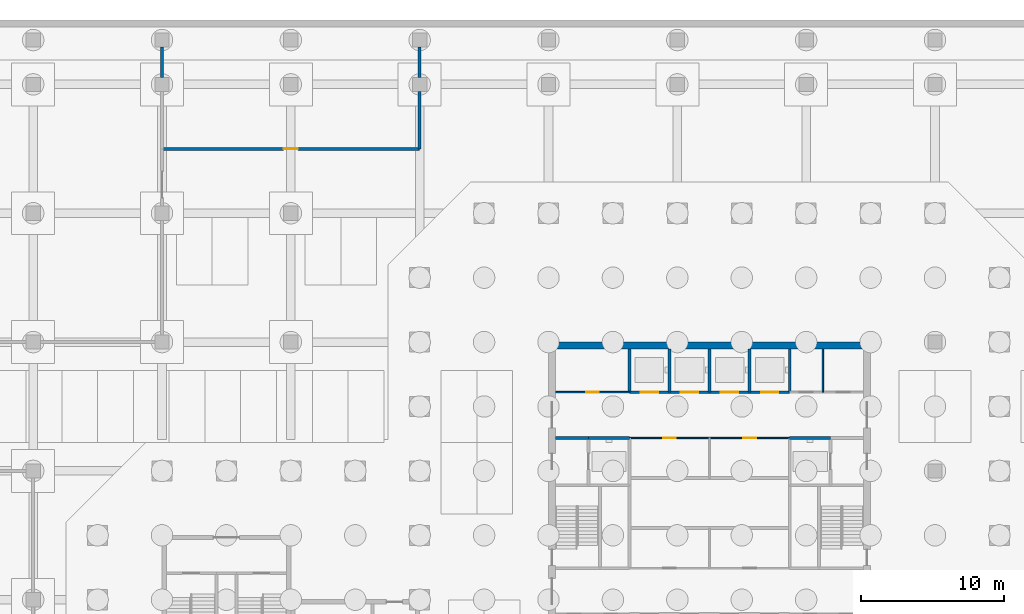
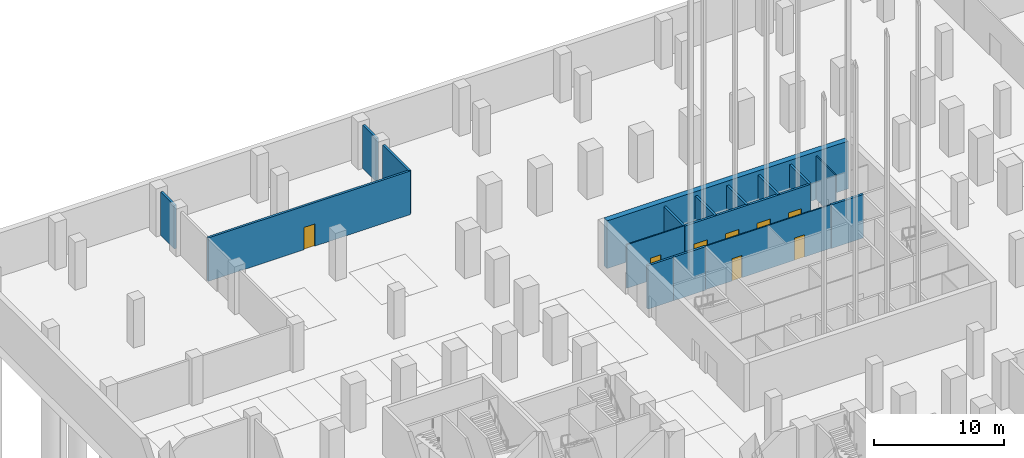
# One storey, part 18 of 37: 17 walls, 8 doors, 8 openings.
"""IFC4 building model written with IfcOpenShell, lengths in metres."""

from ifc_helpers import new_model, si_unit, direction, frame, frame_2d, origin, place, context, subcontext, project, spatial, rectangle, extrude, material, layer, layer_set, type_object, element, fill, save


model = new_model("IFC4")

# Units and contexts
model_context = context("Model", 3, precision=1e-05, world=origin(), true_north=direction((0.0, 1.0)))
body_context = subcontext(model_context, "Body", "Model", "MODEL_VIEW")
ifc_project = project(units=[si_unit("LENGTHUNIT", "METRE"), si_unit("AREAUNIT", "SQUARE_METRE"), si_unit("VOLUMEUNIT", "CUBIC_METRE"), si_unit("PLANEANGLEUNIT", "RADIAN"), si_unit("MASSUNIT", "GRAM", prefix="KILO")], contexts=[model_context])

# Site, building, storey
site_placement = place(None, origin())
site = spatial("IfcSite", under=ifc_project, at=site_placement, CompositionType="ELEMENT")
building_placement = place(site_placement, origin())
building = spatial("IfcBuilding", under=site, at=building_placement, Name="Quoin Convention Tower", CompositionType="ELEMENT")
storey_placement = place(building_placement, frame((0.0, 0.0, -9.0)))
storey = spatial("IfcBuildingStorey", under=building, at=storey_placement, Name="B2", CompositionType="ELEMENT", Elevation=-9.0)

# Wall, openings, doors
ifc_material_1 = material(Name="Plasterboard")
ifc_layer_1 = layer(ifc_material_1, 0.012451171875, Name="Finish")
ifc_material_2 = material(Name="Steel stud framing", Category="steel")
ifc_layer_2 = layer(ifc_material_2, 0.074951171875, Name="Structure")
ifc_layer_3 = layer(ifc_material_1, 0.012451171875, Name="Finish")
ifc_layer_set_1 = layer_set([ifc_layer_1, ifc_layer_2, ifc_layer_3], Name="Steel stud framing")
wall_type_1 = type_object("IfcWallType", Name="Core partition wall", PredefinedType="PARTITIONING", material=ifc_layer_set_1)
wall_1_placement = place(storey_placement, frame((50.64990234375, 65.300048828125, 0.0), z_axis=(0.0, 0.0, 1.0), x_axis=(1.0, 0.0, 0.0)))
wall_1 = element("IfcWall", 1, at=wall_1_placement, inside=storey, type_object=wall_type_1, Name="cr-C1-B2-h15800_5650", PredefinedType="PARTITIONING", context=body_context, shape_type="SweptSolid", body=[
    extrude(rectangle(XDim=11.2001953125, YDim=0.10009765625, at=frame_2d((5.60009765625, 0.0))), origin(), (0.0, 0.0, 1.0), 4.10009765625),
])
opening_1_placement = place(wall_1_placement, frame((2.35009765625, 0.0, 0.0)))
opening_1 = element("IfcOpeningElement", 2, at=opening_1_placement, cuts=wall_1, Name="Opening DCV0-01", PredefinedType="OPENING", context=body_context, shape_type="SweptSolid", body=[
    extrude(rectangle(XDim=0.89990234375, YDim=2.10009765625, at=frame_2d((0.449951171875, 1.050048828125))), frame((0.0, 0.06005859375, 0.0), z_axis=(0.0, -1.0, 0.0), x_axis=(1.0, 0.0, 0.0)), (0.0, 0.0, 1.0), 0.1201171875),
])
opening_2_placement = place(wall_1_placement, frame((7.949951171875, 0.0, 0.0)))
opening_2 = element("IfcOpeningElement", 3, at=opening_2_placement, cuts=wall_1, Name="Opening DCV0-03", PredefinedType="OPENING", context=body_context, shape_type="SweptSolid", body=[
    extrude(rectangle(XDim=0.89990234375, YDim=2.10009765625, at=frame_2d((0.449951171875, 1.050048828125))), frame((0.0, 0.06005859375, 0.0), z_axis=(0.0, -1.0, 0.0), x_axis=(1.0, 0.0, 0.0)), (0.0, 0.0, 1.0), 0.1201171875),
])
ifc_material_3 = material(Name="Steel door leaf", Category="steel")
door_type_1 = type_object("IfcDoorType", Name="Core room door 900 x 2100", OperationType="SINGLE_SWING_LEFT", PredefinedType="DOOR", material=ifc_material_3)
door_1_placement = place(opening_1_placement, frame((0.89990234375, 0.0, 0.0), z_axis=(0.0, 0.0, 1.0), x_axis=(-1.0, 0.0, 0.0)))
door_1 = element("IfcDoor", 4, at=door_1_placement, inside=storey, type_object=door_type_1, Name="cd-C1-B2-F30-lobB-CDB216", OperationType="SINGLE_SWING_RIGHT", OverallHeight=2.10009765625, OverallWidth=0.89990234375, PredefinedType="DOOR", context=body_context, shape_type="SweptSolid", body=[
    extrude(rectangle(XDim=0.89990234375, YDim=2.10009765625, at=frame_2d((0.449951171875, 1.050048828125))), frame((0.0, 0.02490234375, 0.0), z_axis=(0.0, -1.0, 0.0), x_axis=(1.0, 0.0, 0.0)), (0.0, 0.0, 1.0), 0.050048828125),
])
fill(opening_1, door_1)
door_2_placement = place(opening_2_placement, frame((0.89990234375, 0.0, 0.0), z_axis=(0.0, 0.0, 1.0), x_axis=(-1.0, 0.0, 0.0)))
door_2 = element("IfcDoor", 5, at=door_2_placement, inside=storey, type_object=door_type_1, Name="cd-C1-B2-F31-lobB-CDB217", OperationType="SINGLE_SWING_LEFT", OverallHeight=2.10009765625, OverallWidth=0.89990234375, PredefinedType="DOOR", context=body_context, shape_type="SweptSolid", body=[
    extrude(rectangle(XDim=0.89990234375, YDim=2.10009765625, at=frame_2d((0.449951171875, 1.050048828125))), frame((0.0, 0.02490234375, 0.0), z_axis=(0.0, -1.0, 0.0), x_axis=(1.0, 0.0, 0.0)), (0.0, 0.0, 1.0), 0.050048828125),
])
fill(opening_2, door_2)

# Wall, opening, door
wall_2_placement = place(storey_placement, frame((45.5, 68.5, 0.0), z_axis=(0.0, 0.0, 1.0), x_axis=(1.0, 0.0, 0.0)))
wall_2 = element("IfcWall", 6, at=wall_2_placement, inside=storey, type_object=wall_type_1, Name="cr-C1-B2-h19000_500", PredefinedType="PARTITIONING", context=body_context, shape_type="SweptSolid", body=[
    extrude(rectangle(XDim=5.14990234375, YDim=0.10009765625, at=frame_2d((2.574951171875, 0.0))), origin(), (0.0, 0.0, 1.0), 4.10009765625),
])
opening_3_placement = place(wall_2_placement, frame((2.125, 0.0, 0.0)))
opening_3 = element("IfcOpeningElement", 7, at=opening_3_placement, cuts=wall_2, Name="Opening DCV0-24", PredefinedType="OPENING", context=body_context, shape_type="SweptSolid", body=[
    extrude(rectangle(XDim=0.89990234375, YDim=2.10009765625, at=frame_2d((0.449951171875, 1.050048828125))), frame((0.0, 0.06005859375, 0.0), z_axis=(0.0, -1.0, 0.0), x_axis=(1.0, 0.0, 0.0)), (0.0, 0.0, 1.0), 0.1201171875),
])
door_3_placement = place(opening_3_placement, origin())
door_3 = element("IfcDoor", 8, at=door_3_placement, inside=storey, type_object=door_type_1, Name="cd-C1-B2-CNW0-lobB-CDB209", OperationType="SINGLE_SWING_RIGHT", OverallHeight=2.10009765625, OverallWidth=0.89990234375, PredefinedType="DOOR", context=body_context, shape_type="SweptSolid", body=[
    extrude(rectangle(XDim=0.89990234375, YDim=2.10009765625, at=frame_2d((0.449951171875, 1.050048828125))), frame((0.0, 0.02490234375, 0.0), z_axis=(0.0, -1.0, 0.0), x_axis=(1.0, 0.0, 0.0)), (0.0, 0.0, 1.0), 0.050048828125),
])
fill(opening_3, door_3)

# Walls
wall_3_placement = place(storey_placement, frame((64.16748046875, 68.5, 0.0), z_axis=(0.0, 0.0, 1.0), x_axis=(0.0, 1.0, 0.0)))
element("IfcWall", 9, at=wall_3_placement, inside=storey, type_object=wall_type_1, Name="cr-C1-B2-v19168_19000", PredefinedType="PARTITIONING", context=body_context, shape_type="SweptSolid", body=[
    extrude(rectangle(XDim=3.0, YDim=0.10009765625, at=frame_2d((1.5, 0.0))), origin(), (0.0, 0.0, 1.0), 4.10009765625),
])
ifc_material_4 = material(Name="Concrete C50", Category="concrete")
ifc_layer_4 = layer(ifc_material_4, 0.199951171875)
ifc_layer_set_2 = layer_set([ifc_layer_4], Name="Concrete C50")
wall_type_2 = type_object("IfcWallType", Name="Core shaft wall", PredefinedType="SOLIDWALL", material=ifc_layer_set_2)
wall_4_placement = place(storey_placement, frame((45.5, 65.300048828125, 0.0), z_axis=(0.0, 0.0, 1.0), x_axis=(1.0, 0.0, 0.0)))
element("IfcWall", 10, at=wall_4_placement, inside=storey, type_object=wall_type_2, Name="cr-C1-B2-h15800_500", PredefinedType="SOLIDWALL", context=body_context, shape_type="SweptSolid", body=[
    extrude(rectangle(XDim=2.300048828125, YDim=0.199951171875, at=frame_2d((1.14990234375, 0.0))), origin(), (0.0, 0.0, 1.0), 4.10009765625),
])
for number, where, z_axis, x_axis, name in (
    (11, (47.800048828125, 65.300048828125, 0.0), (0.0, 0.0, 1.0), (1.0, 0.0, 0.0), "cr-C1-B2-h15800_2800"),
    (12, (61.85009765625, 65.300048828125, 0.0), (0.0, 0.0, 1.0), (1.0, 0.0, 0.0), "cr-C1-B2-h15800_16850"),
):
    element("IfcWall", number, at=place(storey_placement, frame(where, z_axis=z_axis, x_axis=x_axis)), inside=storey, type_object=wall_type_2, Name=name, PredefinedType="SOLIDWALL", context=body_context, shape_type="SweptSolid", body=[
        extrude(rectangle(XDim=2.849853515625, YDim=0.199951171875, at=frame_2d((1.4248046875, 0.0))), origin(), (0.0, 0.0, 1.0), 4.10009765625),
    ])

# Wall, openings, doors
wall_5_placement = place(storey_placement, frame((50.64990234375, 68.5, 0.0), z_axis=(0.0, 0.0, 1.0), x_axis=(1.0, 0.0, 0.0)))
wall_5 = element("IfcWall", 13, at=wall_5_placement, inside=storey, type_object=wall_type_2, Name="cr-C1-B2-h19000_5650", PredefinedType="SOLIDWALL", context=body_context, shape_type="SweptSolid", body=[
    extrude(rectangle(XDim=11.2001953125, YDim=0.199951171875, at=frame_2d((5.60009765625, 0.0))), origin(), (0.0, 0.0, 1.0), 4.10009765625),
])
opening_4_placement = place(wall_5_placement, frame((0.800048828125, 0.0, 0.0)))
opening_4 = element("IfcOpeningElement", 14, at=opening_4_placement, cuts=wall_5, Name="Opening LDL5", PredefinedType="OPENING", context=body_context, shape_type="SweptSolid", body=[
    extrude(rectangle(XDim=1.199951171875, YDim=2.10009765625, at=frame_2d((0.60009765625, 1.050048828125))), frame((0.0, 0.10986328125, 0.0), z_axis=(0.0, -1.0, 0.0), x_axis=(1.0, 0.0, 0.0)), (0.0, 0.0, 1.0), 0.219970703125),
])
opening_5_placement = place(wall_5_placement, frame((3.60009765625, 0.0, 0.0)))
opening_5 = element("IfcOpeningElement", 15, at=opening_5_placement, cuts=wall_5, Name="Opening LDL6", PredefinedType="OPENING", context=body_context, shape_type="SweptSolid", body=[
    extrude(rectangle(XDim=1.199951171875, YDim=2.10009765625, at=frame_2d((0.60009765625, 1.050048828125))), frame((0.0, 0.10986328125, 0.0), z_axis=(0.0, -1.0, 0.0), x_axis=(1.0, 0.0, 0.0)), (0.0, 0.0, 1.0), 0.219970703125),
])
opening_6_placement = place(wall_5_placement, frame((6.39990234375, 0.0, 0.0)))
opening_6 = element("IfcOpeningElement", 16, at=opening_6_placement, cuts=wall_5, Name="Opening LDL7", PredefinedType="OPENING", context=body_context, shape_type="SweptSolid", body=[
    extrude(rectangle(XDim=1.199951171875, YDim=2.10009765625, at=frame_2d((0.60009765625, 1.050048828125))), frame((0.0, 0.10986328125, 0.0), z_axis=(0.0, -1.0, 0.0), x_axis=(1.0, 0.0, 0.0)), (0.0, 0.0, 1.0), 0.219970703125),
])
opening_7_placement = place(wall_5_placement, frame((9.199951171875, 0.0, 0.0)))
opening_7 = element("IfcOpeningElement", 17, at=opening_7_placement, cuts=wall_5, Name="Opening LDL8", PredefinedType="OPENING", context=body_context, shape_type="SweptSolid", body=[
    extrude(rectangle(XDim=1.199951171875, YDim=2.10009765625, at=frame_2d((0.60009765625, 1.050048828125))), frame((0.0, 0.10986328125, 0.0), z_axis=(0.0, -1.0, 0.0), x_axis=(1.0, 0.0, 0.0)), (0.0, 0.0, 1.0), 0.219970703125),
])
door_type_2 = type_object("IfcDoorType", Name="Lift landing door 1200 x 2100", OperationType="DOUBLE_DOOR_SLIDING", PredefinedType="DOOR", material=ifc_material_3)
door_4_placement = place(opening_4_placement, origin())
door_4 = element("IfcDoor", 18, at=door_4_placement, inside=storey, type_object=door_type_2, Name="cd-C1-B2-R40-lobB-LDL5", OperationType="DOUBLE_DOOR_SLIDING", OverallHeight=2.10009765625, OverallWidth=1.199951171875, PredefinedType="DOOR", context=body_context, shape_type="SweptSolid", body=[
    extrude(rectangle(XDim=1.199951171875, YDim=2.10009765625, at=frame_2d((0.60009765625, 1.050048828125))), frame((0.0, 0.02490234375, 0.0), z_axis=(0.0, -1.0, 0.0), x_axis=(1.0, 0.0, 0.0)), (0.0, 0.0, 1.0), 0.050048828125),
])
fill(opening_4, door_4)
door_5_placement = place(opening_5_placement, origin())
door_5 = element("IfcDoor", 19, at=door_5_placement, inside=storey, type_object=door_type_2, Name="cd-C1-B2-R41-lobB-LDL6", OperationType="DOUBLE_DOOR_SLIDING", OverallHeight=2.10009765625, OverallWidth=1.199951171875, PredefinedType="DOOR", context=body_context, shape_type="SweptSolid", body=[
    extrude(rectangle(XDim=1.199951171875, YDim=2.10009765625, at=frame_2d((0.60009765625, 1.050048828125))), frame((0.0, 0.02490234375, 0.0), z_axis=(0.0, -1.0, 0.0), x_axis=(1.0, 0.0, 0.0)), (0.0, 0.0, 1.0), 0.050048828125),
])
fill(opening_5, door_5)
door_6_placement = place(opening_6_placement, origin())
door_6 = element("IfcDoor", 20, at=door_6_placement, inside=storey, type_object=door_type_2, Name="cd-C1-B2-R42-lobB-LDL7", OperationType="DOUBLE_DOOR_SLIDING", OverallHeight=2.10009765625, OverallWidth=1.199951171875, PredefinedType="DOOR", context=body_context, shape_type="SweptSolid", body=[
    extrude(rectangle(XDim=1.199951171875, YDim=2.10009765625, at=frame_2d((0.60009765625, 1.050048828125))), frame((0.0, 0.02490234375, 0.0), z_axis=(0.0, -1.0, 0.0), x_axis=(1.0, 0.0, 0.0)), (0.0, 0.0, 1.0), 0.050048828125),
])
fill(opening_6, door_6)
door_7_placement = place(opening_7_placement, origin())
door_7 = element("IfcDoor", 21, at=door_7_placement, inside=storey, type_object=door_type_2, Name="cd-C1-B2-R43-lobB-LDL8", OperationType="DOUBLE_DOOR_SLIDING", OverallHeight=2.10009765625, OverallWidth=1.199951171875, PredefinedType="DOOR", context=body_context, shape_type="SweptSolid", body=[
    extrude(rectangle(XDim=1.199951171875, YDim=2.10009765625, at=frame_2d((0.60009765625, 1.050048828125))), frame((0.0, 0.02490234375, 0.0), z_axis=(0.0, -1.0, 0.0), x_axis=(1.0, 0.0, 0.0)), (0.0, 0.0, 1.0), 0.050048828125),
])
fill(opening_7, door_7)

# Walls
for number, where, z_axis, x_axis, name in (
    (22, (50.64990234375, 68.5, 0.0), (0.0, 0.0, 1.0), (0.0, 1.0, 0.0), "cr-C1-B2-v5650_19000"),
    (23, (53.449951171875, 68.5, 0.0), (0.0, 0.0, 1.0), (0.0, 1.0, 0.0), "cr-C1-B2-v8450_19000"),
    (24, (56.25, 68.5, 0.0), (0.0, 0.0, 1.0), (0.0, 1.0, 0.0), "cr-C1-B2-v11250_19000"),
    (25, (59.050048828125, 68.5, 0.0), (0.0, 0.0, 1.0), (0.0, 1.0, 0.0), "cr-C1-B2-v14050_19000"),
    (26, (61.85009765625, 68.5, 0.0), (0.0, 0.0, 1.0), (0.0, 1.0, 0.0), "cr-C1-B2-v16850_19000"),
):
    element("IfcWall", number, at=place(storey_placement, frame(where, z_axis=z_axis, x_axis=x_axis)), inside=storey, type_object=wall_type_2, Name=name, PredefinedType="SOLIDWALL", context=body_context, shape_type="SweptSolid", body=[
        extrude(rectangle(XDim=3.0, YDim=0.199951171875, at=frame_2d((1.5, 0.0))), origin(), (0.0, 0.0, 1.0), 4.10009765625),
    ])

# Wall, opening, door
ifc_layer_5 = layer(ifc_material_1, 0.012451171875, Name="Finish")
ifc_layer_6 = layer(ifc_material_2, 0.175048828125, Name="Structure")
ifc_layer_7 = layer(ifc_material_1, 0.012451171875, Name="Finish")
ifc_layer_set_3 = layer_set([ifc_layer_5, ifc_layer_6, ifc_layer_7], Name="Steel stud framing")
wall_type_3 = type_object("IfcWallType", Name="Plant room wall 200", PredefinedType="PARTITIONING", material=ifc_layer_set_3)
wall_6_placement = place(storey_placement, frame((18.0, 85.5, 0.0), z_axis=(0.0, 0.0, 1.0), x_axis=(1.0, 0.0, 0.0)))
wall_6 = element("IfcWall", 27, at=wall_6_placement, inside=storey, type_object=wall_type_3, Name="pw-B2-032", PredefinedType="PARTITIONING", context=body_context, shape_type="SweptSolid", body=[
    extrude(rectangle(XDim=18.0, YDim=0.199951171875, at=frame_2d((9.0, 0.0))), origin(), (0.0, 0.0, 1.0), 4.10009765625),
])
opening_8_placement = place(wall_6_placement, frame((8.5, 0.0, 0.0)))
opening_8 = element("IfcOpeningElement", 28, at=opening_8_placement, cuts=wall_6, Name="Opening DPDB2-10", PredefinedType="OPENING", context=body_context, shape_type="SweptSolid", body=[
    extrude(rectangle(XDim=1.0, YDim=2.10009765625, at=frame_2d((0.5, 1.050048828125))), frame((0.0, 0.10986328125, 0.0), z_axis=(0.0, -1.0, 0.0), x_axis=(1.0, 0.0, 0.0)), (0.0, 0.0, 1.0), 0.219970703125),
])
door_type_3 = type_object("IfcDoorType", Name="Plant door 1000", OperationType="SINGLE_SWING_RIGHT", PredefinedType="DOOR", material=ifc_material_3)
door_8_placement = place(opening_8_placement, frame((1.0, 0.0, 0.0), z_axis=(0.0, 0.0, 1.0), x_axis=(-1.0, 0.0, 0.0)))
door_8 = element("IfcDoor", 29, at=door_8_placement, inside=storey, type_object=door_type_3, Name="dr-B2-007", OperationType="SINGLE_SWING_RIGHT", OverallHeight=2.10009765625, OverallWidth=1.0, PredefinedType="DOOR", context=body_context, shape_type="SweptSolid", body=[
    extrude(rectangle(XDim=1.0, YDim=2.10009765625, at=frame_2d((0.5, 1.050048828125))), frame((0.0, 0.02490234375, 0.0), z_axis=(0.0, -1.0, 0.0), x_axis=(1.0, 0.0, 0.0)), (0.0, 0.0, 1.0), 0.050048828125),
])
fill(opening_8, door_8)

# Walls
wall_7_placement = place(storey_placement, frame((18.0, 90.5, 0.0), z_axis=(0.0, 0.0, 1.0), x_axis=(0.0, 1.0, 0.0)))
element("IfcWall", 30, at=wall_7_placement, inside=storey, type_object=wall_type_3, Name="pw-B2-034", PredefinedType="PARTITIONING", context=body_context, shape_type="SweptSolid", body=[
    extrude(rectangle(XDim=2.10009765625, YDim=0.199951171875, at=frame_2d((1.050048828125, 0.0))), origin(), (0.0, 0.0, 1.0), 4.10009765625),
])
wall_8_placement = place(storey_placement, frame((36.0, 85.5, 0.0), z_axis=(0.0, 0.0, 1.0), x_axis=(0.0, 1.0, 0.0)))
element("IfcWall", 31, at=wall_8_placement, inside=storey, type_object=wall_type_3, Name="pw-B2-035", PredefinedType="PARTITIONING", context=body_context, shape_type="SweptSolid", body=[
    extrude(rectangle(XDim=4.0, YDim=0.199951171875, at=frame_2d((2.0, 0.0))), origin(), (0.0, 0.0, 1.0), 4.10009765625),
])
wall_9_placement = place(storey_placement, frame((36.0, 90.5, 0.0), z_axis=(0.0, 0.0, 1.0), x_axis=(0.0, 1.0, 0.0)))
element("IfcWall", 32, at=wall_9_placement, inside=storey, type_object=wall_type_3, Name="pw-B2-036", PredefinedType="PARTITIONING", context=body_context, shape_type="SweptSolid", body=[
    extrude(rectangle(XDim=2.10009765625, YDim=0.199951171875, at=frame_2d((1.050048828125, 0.0))), origin(), (0.0, 0.0, 1.0), 4.10009765625),
])
ifc_material_5 = material(Name="Concrete C100 (100 MPa)", Category="concrete")
ifc_layer_8 = layer(ifc_material_5, 0.5)
ifc_layer_set_4 = layer_set([ifc_layer_8], Name="Concrete C100 (100 MPa)")
wall_type_4 = type_object("IfcWallType", Name="RC CORE WALL 500 C100", PredefinedType="SHEAR", material=ifc_layer_set_4)
wall_10_placement = place(storey_placement, frame((45.5, 71.75, 0.0), z_axis=(0.0, 0.0, 1.0), x_axis=(1.0, 0.0, 0.0)))
element("IfcWall", 33, at=wall_10_placement, inside=storey, type_object=wall_type_4, Name="cwl-C1-B2-N", PredefinedType="SHEAR", context=body_context, shape_type="SweptSolid", body=[
    extrude(rectangle(XDim=21.5, YDim=0.5, at=frame_2d((10.75, 0.0))), origin(), (0.0, 0.0, 1.0), 4.5),
])

save(model, "model.ifc")
